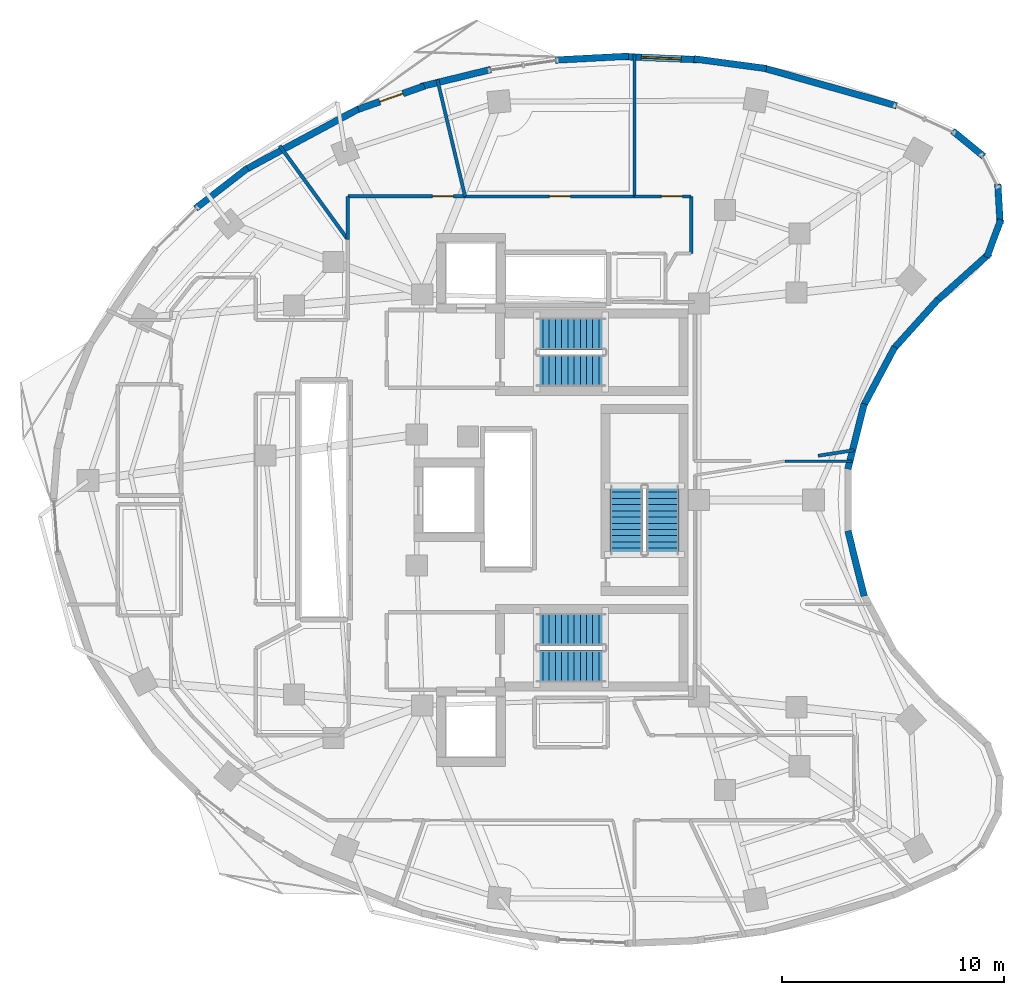
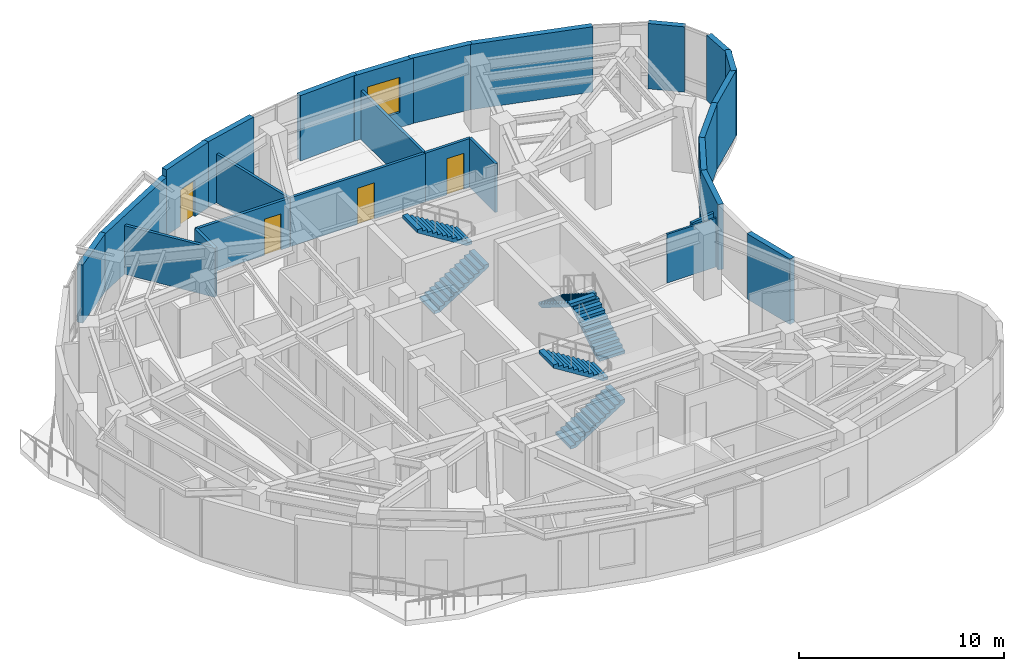
# One storey, part 10 of 13: 26 walls, 6 stair flights, 4 doors, 1 window, 5 openings, 3 elements without a shape of their own.
"""IFC4 building model written with IfcOpenShell, lengths in metres."""

import ifcopenshell
import ifcopenshell.guid

model = None  # the IFC model being written
_history = None  # IfcOwnerHistory: only IFC2X3 demands one
_inside = {}  # id of a spatial element -> (the spatial element, [elements in it])
_under = {}  # id of a project, library or spatial element -> (it, [spatial elements below it])
_declared = {}  # id of a project -> (the project, [libraries it declares])
_typed = {}  # id of a type object -> (the type object, [elements of that type])
_made_of = {}  # id of a material, layer set ... -> (it, [elements and type objects made of it])


def new_model(schema):
    """Start an empty IFC model of exactly this schema.

    Asked for "IFC4X3", IfcOpenShell would pick the latest addendum, in which some entities
    have other attributes; the version numbers below select the first issue.
    IFC2X3 requires an IfcOwnerHistory on every rooted entity: one is made here for all.
    """
    global model, _history
    if schema == "IFC4X3":
        model = ifcopenshell.file(schema_version=(4, 3, 0, 0))
    else:
        model = ifcopenshell.file(schema=schema)
    _inside.clear()
    _under.clear()
    _declared.clear()
    _typed.clear()
    _made_of.clear()
    _history = None
    if model.schema == "IFC2X3":
        org = make("IfcOrganization", Name="unknown")
        user = make(
            "IfcPersonAndOrganization",
            ThePerson=make("IfcPerson", FamilyName="unknown"),
            TheOrganization=org,
        )
        app = make(
            "IfcApplication",
            ApplicationDeveloper=org,
            Version="unknown",
            ApplicationFullName="unknown",
            ApplicationIdentifier="unknown",
        )
        _history = make(
            "IfcOwnerHistory",
            OwningUser=user,
            OwningApplication=app,
            ChangeAction="ADDED",
            CreationDate=0,
        )
    return model


def make(cls, **values):
    """One entity of the class cls with the attributes given. An attribute that is None is left unset."""
    return model.create_entity(
        cls, **{name: value for name, value in values.items() if value is not None}
    )


def rooted(cls, **values):
    """An entity with a GlobalId (a new one), such as an element, a storey or a relation."""
    return make(cls, GlobalId=ifcopenshell.guid.new(), OwnerHistory=_history, **values)


def si_unit(unit_type, name, prefix=None):
    """IfcSIUnit, for example si_unit("LENGTHUNIT", "METRE", prefix="MILLI")."""
    return make("IfcSIUnit", UnitType=unit_type, Prefix=prefix, Name=name)


def assignment(units):
    """IfcUnitAssignment: the units of a project."""
    return None if units is None else make("IfcUnitAssignment", Units=units)


def point(xyz):
    """IfcCartesianPoint."""
    return None if xyz is None else make("IfcCartesianPoint", Coordinates=xyz)


def direction(xyz):
    """IfcDirection."""
    return None if xyz is None else make("IfcDirection", DirectionRatios=xyz)


def frame(location, z_axis=None, x_axis=None):
    """IfcAxis2Placement3D, a coordinate frame: its origin and axes. An axis left out is left unset."""
    return make(
        "IfcAxis2Placement3D",
        Location=point(location),
        Axis=direction(z_axis),
        RefDirection=direction(x_axis),
    )


def frame_2d(location, x_axis=None):
    """IfcAxis2Placement2D, a coordinate frame in the plane: its origin and x axis."""
    return make(
        "IfcAxis2Placement2D", Location=point(location), RefDirection=direction(x_axis)
    )


def origin():
    """The frame at (0, 0, 0) with its axes left unset."""
    return frame((0.0, 0.0, 0.0))


def place(relative_to, where):
    """IfcLocalPlacement: puts the frame where relative to a parent placement (None: the world)."""
    return make(
        "IfcLocalPlacement", PlacementRelTo=relative_to, RelativePlacement=where
    )


def context(
    kind, dimensions, precision=None, world=None, true_north=None, identifier=None
):
    """IfcGeometricRepresentationContext, for example the 3D "Model" context."""
    return make(
        "IfcGeometricRepresentationContext",
        ContextIdentifier=identifier,
        ContextType=kind,
        CoordinateSpaceDimension=dimensions,
        Precision=precision,
        WorldCoordinateSystem=world,
        TrueNorth=true_north,
    )


def subcontext(parent, identifier, kind, view, scale=None):
    """IfcGeometricRepresentationSubContext, for example "Body" below "Model"."""
    return make(
        "IfcGeometricRepresentationSubContext",
        ContextIdentifier=identifier,
        ContextType=kind,
        ParentContext=parent,
        TargetScale=scale,
        TargetView=view,
    )


def project(units=None, contexts=None):
    """IfcProject with its units and contexts."""
    return rooted(
        "IfcProject",
        Name="project",
        RepresentationContexts=contexts,
        UnitsInContext=assignment(units),
    )


def spatial(cls, under=None, at=None, **own):
    """A site, building, storey or space (cls), placed at a placement, below another one or the project."""
    s = rooted(cls, ObjectPlacement=at, **own)
    if under is not None:
        _under.setdefault(under.id(), (under, []))[1].append(s)
    return s


def polyline(points):
    """IfcPolyline through the points."""
    return make("IfcPolyline", Points=[point(p) for p in points])


def profile(cls, at=None, kind="AREA", **sizes):
    """A parametric profile (cls). Its sizes go by their IFC names, for example OverallWidth=200.0."""
    return make(cls, ProfileType=kind, Position=at, **sizes)


def rectangle(**sizes):
    """IfcRectangleProfileDef."""
    return profile("IfcRectangleProfileDef", **sizes)


def outline(outer, holes=None, kind="AREA"):
    """IfcArbitraryClosedProfileDef: a profile drawn as a closed curve; with holes, ...WithVoids."""
    if holes is None:
        return make("IfcArbitraryClosedProfileDef", ProfileType=kind, OuterCurve=outer)
    return make(
        "IfcArbitraryProfileDefWithVoids",
        ProfileType=kind,
        OuterCurve=outer,
        InnerCurves=holes,
    )


def extrude(swept, where, along, depth):
    """IfcExtrudedAreaSolid: the profile swept, set in the frame where, extruded along a direction by depth."""
    return make(
        "IfcExtrudedAreaSolid",
        SweptArea=swept,
        Position=where,
        ExtrudedDirection=direction(along),
        Depth=depth,
    )


def shape(context_of_items, identifier, shape_type, items):
    """IfcShapeRepresentation: the items that make up one representation, for example the "Body"."""
    return make(
        "IfcShapeRepresentation",
        ContextOfItems=context_of_items,
        RepresentationIdentifier=identifier,
        RepresentationType=shape_type,
        Items=items,
    )


def material(Name=None, Category=None):
    """IfcMaterial."""
    return make("IfcMaterial", Name=Name, Category=Category)


def layer(
    of_material, thickness, ventilated=None, Name=None, Category=None, Priority=None
):
    """IfcMaterialLayer: one layer of a wall or slab, of a material (None: an air gap)."""
    return make(
        "IfcMaterialLayer",
        Material=of_material,
        LayerThickness=thickness,
        IsVentilated=ventilated,
        Name=Name,
        Category=Category,
        Priority=Priority,
    )


def layer_set(layers, Name=None):
    """IfcMaterialLayerSet."""
    return make("IfcMaterialLayerSet", MaterialLayers=layers, LayerSetName=Name)


def made_of(thing, what):
    """Note that an element or type object is made of a material, layer set ...; save() writes the relation."""
    if what is not None:
        _made_of.setdefault(what.id(), (what, []))[1].append(thing)
    return thing


def type_object(cls, material=None, **own):
    """A type object (cls), such as IfcWallType, which elements share."""
    return made_of(rooted(cls, **own), material)


def element(
    cls,
    number,
    at=None,
    inside=None,
    cuts=None,
    type_object=None,
    material=None,
    context=None,
    identifier="Body",
    shape_type=None,
    held_by="IfcProductDefinitionShape",
    body=None,
    shapes=None,
    **own,
):
    """One element of the class cls, such as IfcWall. Its Tag is "e" and its number.

    at: its placement. inside: the storey or other place that contains it. cuts: it is an
    opening in that element (IfcRelVoidsElement). A single representation is given by context,
    identifier, shape_type and body (its items); several are given by shapes. held_by: the class
    of the entity that holds the representations. save() writes the other relations.
    """
    e = rooted(cls, Tag="e%d" % number, ObjectPlacement=at, **own)
    if body is not None:
        shapes = [shape(context, identifier, shape_type, body)]
    if shapes is not None:
        e.Representation = make(held_by, Representations=shapes)
    if inside is not None:
        _inside.setdefault(inside.id(), (inside, []))[1].append(e)
    if cuts is not None:
        rooted(
            "IfcRelVoidsElement", RelatingBuildingElement=cuts, RelatedOpeningElement=e
        )
    if type_object is not None:
        _typed.setdefault(type_object.id(), (type_object, []))[1].append(e)
    return made_of(e, material)


def fill(opening, filler):
    """IfcRelFillsElement: the door or window that sits in an opening."""
    return rooted(
        "IfcRelFillsElement",
        RelatingOpeningElement=opening,
        RelatedBuildingElement=filler,
    )


def aggregate(whole, parts):
    """IfcRelAggregates: a whole, such as a stair, and the parts it consists of."""
    return rooted("IfcRelAggregates", RelatingObject=whole, RelatedObjects=parts)


def save(model, path):
    """Write the relations noted so far, then the file.

    IfcRelAggregates (storeys below a building ...), IfcRelContainedInSpatialStructure (elements
    in a storey), IfcRelDefinesByType, IfcRelAssociatesMaterial and IfcRelDeclares: one each for
    every whole, place, type object, material and project.
    """
    for whole, parts in _under.values():
        aggregate(whole, parts)
    for where, things in _inside.values():
        rooted(
            "IfcRelContainedInSpatialStructure",
            RelatedElements=things,
            RelatingStructure=where,
        )
    for kind, things in _typed.values():
        rooted("IfcRelDefinesByType", RelatedObjects=things, RelatingType=kind)
    for what, things in _made_of.values():
        rooted("IfcRelAssociatesMaterial", RelatedObjects=things, RelatingMaterial=what)
    for by, libraries in _declared.values():
        rooted("IfcRelDeclares", RelatingContext=by, RelatedDefinitions=libraries)
    model.write(path)


model = new_model("IFC4")

# Units and contexts
model_context = context("Model", 3, precision=1e-05, world=origin(), true_north=direction((0.0, 1.0)))
body_context = subcontext(model_context, "Body", "Model", "MODEL_VIEW")
ifc_project = project(units=[si_unit("LENGTHUNIT", "METRE"), si_unit("AREAUNIT", "SQUARE_METRE"), si_unit("VOLUMEUNIT", "CUBIC_METRE"), si_unit("PLANEANGLEUNIT", "RADIAN"), si_unit("MASSUNIT", "GRAM", prefix="KILO")], contexts=[model_context])

# Site, building, storey
site_placement = place(None, origin())
site = spatial("IfcSite", under=ifc_project, at=site_placement, CompositionType="ELEMENT")
building_placement = place(site_placement, origin())
building = spatial("IfcBuilding", under=site, at=building_placement, Name="Korentha Bioscience Tower", CompositionType="ELEMENT")
storey_placement = place(building_placement, frame((0.0, 0.0, 204.60009765625)))
storey = spatial("IfcBuildingStorey", under=building, at=storey_placement, Name="L47", CompositionType="ELEMENT", Elevation=204.60009765625)

# Wall, opening, door
ifc_material_1 = material(Name="Double-Stud Acoustic Gypsum", Category="gypsum")
ifc_layer_1 = layer(ifc_material_1, 0.14990234375, Name="Double-Stud Acoustic Gypsum")
ifc_layer_set_1 = layer_set([ifc_layer_1], Name="Double-Stud Acoustic Gypsum (IW-L150)")
wall_type_1 = type_object("IfcWallType", Name="Acoustic Laboratory Partition Wall 150", PredefinedType="PARTITIONING", material=ifc_layer_set_1)
wall_1_placement = place(storey_placement, frame((37.199951171875, 40.659912109375, 0.0), z_axis=(0.0, 0.0, 1.0), x_axis=(-1.0, 0.0, 0.0)))
wall_1 = element("IfcWall", 1, at=wall_1_placement, inside=storey, type_object=wall_type_1, Name="L47 Peer-Review Conference Room 08 Entrance Wall", PredefinedType="PARTITIONING", context=body_context, shape_type="SweptSolid", body=[
    extrude(rectangle(XDim=2.5478515625, YDim=0.14990234375, at=frame_2d((1.27392578125, 0.0))), origin(), (0.0, 0.0, 1.0), 2.909912109375),
])
opening_1_placement = place(wall_1_placement, frame((0.39208984375, 0.0, 0.0)))
opening_1 = element("IfcOpeningElement", 2, at=opening_1_placement, cuts=wall_1, Name="Opening ID-10L", PredefinedType="OPENING", context=body_context, shape_type="SweptSolid", body=[
    extrude(rectangle(XDim=0.949951171875, YDim=2.14990234375, at=frame_2d((0.47509765625, 1.074951171875))), frame((0.0, 0.08984375, 0.0), z_axis=(0.0, -1.0, 0.0), x_axis=(1.0, 0.0, 0.0)), (0.0, 0.0, 1.0), 0.1796875),
])
ifc_material_2 = material(Name="Phenolic Laminate Timber Core", Category="wood")
door_type_1 = type_object("IfcDoorType", Name="Laboratory Single Leaf Door 950x2150 Left", OperationType="SINGLE_SWING_LEFT", PredefinedType="DOOR", material=ifc_material_2)
door_1_placement = place(opening_1_placement, origin())
door_1 = element("IfcDoor", 3, at=door_1_placement, inside=storey, type_object=door_type_1, Name="L47 Peer-Review Conference Room 08 Door", OperationType="SINGLE_SWING_LEFT", OverallHeight=2.14990234375, OverallWidth=0.949951171875, PredefinedType="DOOR", context=body_context, shape_type="SweptSolid", body=[
    extrude(rectangle(XDim=0.949951171875, YDim=2.14990234375, at=frame_2d((0.47509765625, 1.074951171875))), frame((0.0, 0.02490234375, 0.0), z_axis=(0.0, -1.0, 0.0), x_axis=(1.0, 0.0, 0.0)), (0.0, 0.0, 1.0), 0.050048828125),
])
fill(opening_1, door_1)

wall_2_placement = place(storey_placement, frame((34.64208984375, 40.659912109375, 0.0), z_axis=(0.0, 0.0, 1.0), x_axis=(-1.0, 0.0, 0.0)))
wall_2 = element("IfcWall", 4, at=wall_2_placement, inside=storey, type_object=wall_type_1, Name="L47 Staff Tea and Espresso Break Lounge 09 Entrance Wall", PredefinedType="PARTITIONING", context=body_context, shape_type="SweptSolid", body=[
    extrude(rectangle(XDim=7.616943359375, YDim=0.14990234375, at=frame_2d((3.80859375, 0.0))), origin(), (0.0, 0.0, 1.0), 2.909912109375),
])
opening_2_placement = place(wall_2_placement, frame((2.871826171875, 0.0, 0.0)))
opening_2 = element("IfcOpeningElement", 5, at=opening_2_placement, cuts=wall_2, Name="Opening ID-10R", PredefinedType="OPENING", context=body_context, shape_type="SweptSolid", body=[
    extrude(rectangle(XDim=0.949951171875, YDim=2.14990234375, at=frame_2d((0.47509765625, 1.074951171875))), frame((0.0, 0.08984375, 0.0), z_axis=(0.0, -1.0, 0.0), x_axis=(1.0, 0.0, 0.0)), (0.0, 0.0, 1.0), 0.1796875),
])
door_type_2 = type_object("IfcDoorType", Name="Laboratory Single Leaf Door 950x2150 Right", OperationType="SINGLE_SWING_RIGHT", PredefinedType="DOOR", material=ifc_material_2)
door_2_placement = place(opening_2_placement, origin())
door_2 = element("IfcDoor", 6, at=door_2_placement, inside=storey, type_object=door_type_2, Name="L47 Staff Tea and Espresso Break Lounge 09 Door", OperationType="SINGLE_SWING_RIGHT", OverallHeight=2.14990234375, OverallWidth=0.949951171875, PredefinedType="DOOR", context=body_context, shape_type="SweptSolid", body=[
    extrude(rectangle(XDim=0.949951171875, YDim=2.14990234375, at=frame_2d((0.47509765625, 1.074951171875))), frame((0.0, 0.02490234375, 0.0), z_axis=(0.0, -1.0, 0.0), x_axis=(1.0, 0.0, 0.0)), (0.0, 0.0, 1.0), 0.050048828125),
])
fill(opening_2, door_2)

# Walls
wall_3_placement = place(storey_placement, frame((37.2099609375, 38.10009765625, 0.0), z_axis=(0.0, 0.0, 1.0), x_axis=(0.0, 1.0, 0.0)))
element("IfcWall", 7, at=wall_3_placement, inside=storey, type_object=wall_type_1, Name="L47 Interior Partition 063", PredefinedType="PARTITIONING", context=body_context, shape_type="SweptSolid", body=[
    extrude(rectangle(XDim=2.5498046875, YDim=0.14990234375, at=frame_2d((1.27490234375, 0.0))), origin(), (0.0, 0.0, 1.0), 2.909912109375),
])
wall_4_placement = place(storey_placement, frame((34.652099609375, 40.659912109375, 0.0), z_axis=(0.0, 0.0, 1.0), x_axis=(0.0, 1.0, 0.0)))
element("IfcWall", 8, at=wall_4_placement, inside=storey, type_object=wall_type_1, Name="L47 Interior Partition 064", PredefinedType="PARTITIONING", context=body_context, shape_type="SweptSolid", body=[
    extrude(rectangle(XDim=6.412109375, YDim=0.14990234375, at=frame_2d((3.2060546875, 0.0))), origin(), (0.0, 0.0, 1.0), 2.909912109375),
])
wall_5_placement = place(storey_placement, frame((44.527099609375, 29.240478515625, 0.0), z_axis=(0.0, 0.0, 1.0), x_axis=(-0.987927620499, -0.154916160084, 0.0)))
element("IfcWall", 9, at=wall_5_placement, inside=storey, type_object=wall_type_1, Name="L47 Interior Partition 065", PredefinedType="PARTITIONING", context=body_context, shape_type="SweptSolid", body=[
    extrude(rectangle(XDim=1.629638671875, YDim=0.14990234375, at=frame_2d((0.81494140625, 0.0))), origin(), (0.0, 0.0, 1.0), 2.909912109375),
])
wall_6_placement = place(storey_placement, frame((27.025146484375, 40.659912109375, 0.0), z_axis=(0.0, 0.0, 1.0), x_axis=(-0.230673918081, 0.973031111279, 0.0)))
element("IfcWall", 10, at=wall_6_placement, inside=storey, type_object=wall_type_1, Name="L47 Interior Partition 070", PredefinedType="PARTITIONING", context=body_context, shape_type="SweptSolid", body=[
    extrude(rectangle(XDim=5.3935546875, YDim=0.14990234375, at=frame_2d((2.69677734375, 0.0))), origin(), (0.0, 0.0, 1.0), 2.909912109375),
])
ifc_material_3 = material(Name="Fire-Rated Framed Glass", Category="glass")
ifc_layer_2 = layer(ifc_material_3, 0.110107421875, Name="Fire-Rated Framed Glass")
ifc_layer_set_2 = layer_set([ifc_layer_2], Name="Fire-Rated Framed Glass (IW-G110)")
wall_type_2 = type_object("IfcWallType", Name="Demountable Glazed Office Partition 110", PredefinedType="MOVABLE", material=ifc_layer_set_2)
wall_7_placement = place(storey_placement, frame((41.413818359375, 28.748046875, 0.0), z_axis=(0.0, 0.0, 1.0), x_axis=(1.0, 0.0, 0.0)))
element("IfcWall", 11, at=wall_7_placement, inside=storey, type_object=wall_type_2, Name="L47 Interior Partition 055", PredefinedType="MOVABLE", context=body_context, shape_type="SweptSolid", body=[
    extrude(rectangle(XDim=3.032958984375, YDim=0.110107421875, at=frame_2d((1.5166015625, 0.0))), origin(), (0.0, 0.0, 1.0), 2.909912109375),
])

# Wall, opening, door
ifc_material_4 = material(Name="Gypsum-Clad Steel Stud", Category="steel")
ifc_layer_3 = layer(ifc_material_4, 0.159912109375, Name="Gypsum-Clad Steel Stud")
ifc_layer_set_3 = layer_set([ifc_layer_3], Name="Gypsum-Clad Steel Stud (IW-C160)")
wall_type_3 = type_object("IfcWallType", Name="Fire-Rated Corridor Partition Wall 160", PredefinedType="PARTITIONING", material=ifc_layer_set_3)
wall_8_placement = place(storey_placement, frame((27.014892578125, 40.659912109375, 0.0), z_axis=(0.0, 0.0, 1.0), x_axis=(-1.0, 0.0, 0.0)))
wall_8 = element("IfcWall", 12, at=wall_8_placement, inside=storey, type_object=wall_type_3, Name="L47 Consumables Archive Room 10 Entrance Wall", PredefinedType="PARTITIONING", context=body_context, shape_type="SweptSolid", body=[
    extrude(rectangle(XDim=5.264892578125, YDim=0.159912109375, at=frame_2d((2.63232421875, 0.0))), origin(), (0.0, 0.0, 1.0), 2.909912109375),
])
opening_3_placement = place(wall_8_placement, frame((0.510009765625, 0.0, 0.0)))
opening_3 = element("IfcOpeningElement", 13, at=opening_3_placement, cuts=wall_8, Name="Opening ID-10L", PredefinedType="OPENING", context=body_context, shape_type="SweptSolid", body=[
    extrude(rectangle(XDim=0.949951171875, YDim=2.14990234375, at=frame_2d((0.47509765625, 1.074951171875))), frame((0.0, 0.0947265625, 0.0), z_axis=(0.0, -1.0, 0.0), x_axis=(1.0, 0.0, 0.0)), (0.0, 0.0, 1.0), 0.189697265625),
])
door_3_placement = place(opening_3_placement, origin())
door_3 = element("IfcDoor", 14, at=door_3_placement, inside=storey, type_object=door_type_1, Name="L47 Consumables Archive Room 10 Door", OperationType="SINGLE_SWING_LEFT", OverallHeight=2.14990234375, OverallWidth=0.949951171875, PredefinedType="DOOR", context=body_context, shape_type="SweptSolid", body=[
    extrude(rectangle(XDim=0.949951171875, YDim=2.14990234375, at=frame_2d((0.47509765625, 1.074951171875))), frame((0.0, 0.02490234375, 0.0), z_axis=(0.0, -1.0, 0.0), x_axis=(1.0, 0.0, 0.0)), (0.0, 0.0, 1.0), 0.050048828125),
])
fill(opening_3, door_3)

# Walls
wall_9_placement = place(storey_placement, frame((21.739990234375, 40.64990234375, 0.0), z_axis=(0.0, 0.0, 1.0), x_axis=(0.0, -1.0, 0.0)))
element("IfcWall", 15, at=wall_9_placement, inside=storey, type_object=wall_type_3, Name="L47 Interior Partition 071", PredefinedType="PARTITIONING", context=body_context, shape_type="SweptSolid", body=[
    extrude(rectangle(XDim=1.91796875, YDim=0.159912109375, at=frame_2d((0.958984375, 0.0))), origin(), (0.0, 0.0, 1.0), 2.909912109375),
])
wall_10_placement = place(storey_placement, frame((21.739990234375, 38.73193359375, 0.0), z_axis=(0.0, 0.0, 1.0), x_axis=(-0.587778316098, 0.80902203377, 0.0)))
element("IfcWall", 16, at=wall_10_placement, inside=storey, type_object=wall_type_3, Name="L47 Interior Partition 072", PredefinedType="PARTITIONING", context=body_context, shape_type="SweptSolid", body=[
    extrude(rectangle(XDim=5.2041015625, YDim=0.159912109375, at=frame_2d((2.60205078125, 0.0))), origin(), (0.0, 0.0, 1.0), 2.909912109375),
])

# Wall, opening, window
ifc_material_5 = material(Name="Honed Limestone Precast Concrete C40", Category="masonry")
ifc_layer_4 = layer(ifc_material_5, 0.300048828125, Name="Honed Limestone Precast Concrete C40")
ifc_layer_set_4 = layer_set([ifc_layer_4], Name="Honed Limestone Precast Concrete C40 (EW-ST300)")
wall_type_4 = type_object("IfcWallType", Name="Honed Limestone Cavity Spandrel Wall 300", PredefinedType="STANDARD", material=ifc_layer_set_4)
wall_11_placement = place(storey_placement, frame((37.48583984375, 46.81787109375, 0.0), z_axis=(0.0, 0.0, 1.0), x_axis=(-0.999187621273, 0.040300092979, 0.0)))
wall_11 = element("IfcWall", 17, at=wall_11_placement, inside=storey, type_object=wall_type_4, Name="L47 Honed Limestone Spandrel Wall 05", PredefinedType="STANDARD", context=body_context, shape_type="SweptSolid", body=[
    extrude(rectangle(XDim=3.25927734375, YDim=0.300048828125, at=frame_2d((1.629638671875, 0.0))), origin(), (0.0, 0.0, 1.0), 3.89990234375),
])
opening_4_placement = place(wall_11_placement, frame((0.7294921875, 0.0, 0.89990234375)))
opening_4 = element("IfcOpeningElement", 18, at=opening_4_placement, cuts=wall_11, Name="Opening WN-01", PredefinedType="OPENING", context=body_context, shape_type="SweptSolid", body=[
    extrude(rectangle(XDim=1.800048828125, YDim=2.10009765625, at=frame_2d((0.89990234375, 1.050048828125))), frame((0.0, 0.1650390625, 0.0), z_axis=(0.0, -1.0, 0.0), x_axis=(1.0, 0.0, 0.0)), (0.0, 0.0, 1.0), 0.329833984375),
])
ifc_material_6 = material(Name="Thermally Broken Aluminium Triple Glazing", Category="aluminium")
window_type = type_object("IfcWindowType", Name="Triple-Glazed Fixed Bioscience Window 1800x2100", PartitioningType="SINGLE_PANEL", PredefinedType="WINDOW", material=ifc_material_6)
window_placement = place(opening_4_placement, origin())
window = element("IfcWindow", 19, at=window_placement, inside=storey, type_object=window_type, Name="L47 Facade Window 05", OverallHeight=2.10009765625, OverallWidth=1.800048828125, PartitioningType="SINGLE_PANEL", PredefinedType="WINDOW", context=body_context, shape_type="SweptSolid", body=[
    extrude(rectangle(XDim=1.800048828125, YDim=2.10009765625, at=frame_2d((0.89990234375, 1.050048828125))), frame((0.0, 0.030029296875, 0.0), z_axis=(0.0, -1.0, 0.0), x_axis=(1.0, 0.0, 0.0)), (0.0, 0.0, 1.0), 0.06005859375),
])
fill(opening_4, window)

# Wall, opening, door
wall_12_placement = place(storey_placement, frame((25.193115234375, 45.626708984375, 0.0), z_axis=(0.0, 0.0, 1.0), x_axis=(-0.94341621231, -0.331610992506, 0.0)))
wall_12 = element("IfcWall", 20, at=wall_12_placement, inside=storey, type_object=wall_type_4, Name="L47 Balcony Threshold Wall 01", PredefinedType="STANDARD", context=body_context, shape_type="SweptSolid", body=[
    extrude(rectangle(XDim=3.148193359375, YDim=0.300048828125, at=frame_2d((1.57421875, 0.0))), origin(), (0.0, 0.0, 1.0), 3.89990234375),
])
opening_5_placement = place(wall_12_placement, frame((1.024169921875, 0.0, 0.0)))
opening_5 = element("IfcOpeningElement", 21, at=opening_5_placement, cuts=wall_12, Name="Opening BD-11L", PredefinedType="OPENING", context=body_context, shape_type="SweptSolid", body=[
    extrude(rectangle(XDim=1.10009765625, YDim=2.14990234375, at=frame_2d((0.550048828125, 1.074951171875))), frame((0.0, 0.1650390625, 0.0), z_axis=(0.0, -1.0, 0.0), x_axis=(1.0, 0.0, 0.0)), (0.0, 0.0, 1.0), 0.329833984375),
])
ifc_material_7 = material(Name="Thermally Broken Glazed Aluminium", Category="aluminium")
door_type_3 = type_object("IfcDoorType", Name="Balcony Terrace Glazed Door 1100x2150 Left", OperationType="SINGLE_SWING_LEFT", PredefinedType="DOOR", material=ifc_material_7)
door_4_placement = place(opening_5_placement, origin())
door_4 = element("IfcDoor", 22, at=door_4_placement, inside=storey, type_object=door_type_3, Name="L47 Balcony Access Door 01", OperationType="SINGLE_SWING_LEFT", OverallHeight=2.14990234375, OverallWidth=1.10009765625, PredefinedType="DOOR", context=body_context, shape_type="SweptSolid", body=[
    extrude(rectangle(XDim=1.10009765625, YDim=2.14990234375, at=frame_2d((0.550048828125, 1.074951171875))), frame((0.0, 0.02490234375, 0.0), z_axis=(0.0, -1.0, 0.0), x_axis=(1.0, 0.0, 0.0)), (0.0, 0.0, 1.0), 0.050048828125),
])
fill(opening_5, door_4)

# Walls
wall_13_placement = place(storey_placement, frame((46.449462890625, 44.741455078125, 0.0), z_axis=(0.0, 0.0, 1.0), x_axis=(-0.962117712706, 0.272634383189, 0.0)))
element("IfcWall", 23, at=wall_13_placement, inside=storey, type_object=wall_type_4, Name="L47 Limestone Perimeter Closure Wall 02", PredefinedType="STANDARD", context=body_context, shape_type="SweptSolid", body=[
    extrude(rectangle(XDim=6.275634765625, YDim=0.300048828125, at=frame_2d((3.1376953125, 0.0))), origin(), (0.0, 0.0, 1.0), 3.89990234375),
])
wall_14_placement = place(storey_placement, frame((40.58740234375, 46.415771484375, 0.0), z_axis=(0.0, 0.0, 1.0), x_axis=(-0.991125608299, 0.132928659714, 0.0)))
element("IfcWall", 24, at=wall_14_placement, inside=storey, type_object=wall_type_4, Name="L47 Limestone Perimeter Closure Wall 04", PredefinedType="STANDARD", context=body_context, shape_type="SweptSolid", body=[
    extrude(rectangle(XDim=3.281982421875, YDim=0.300048828125, at=frame_2d((1.64111328125, 0.0))), origin(), (0.0, 0.0, 1.0), 3.89990234375),
])
wall_15_placement = place(storey_placement, frame((34.3828125, 46.970947265625, 0.0), z_axis=(0.0, 0.0, 1.0), x_axis=(-0.998633327395, -0.052263538113, 0.0)))
element("IfcWall", 25, at=wall_15_placement, inside=storey, type_object=wall_type_4, Name="L47 Limestone Perimeter Closure Wall 06", PredefinedType="STANDARD", context=body_context, shape_type="SweptSolid", body=[
    extrude(rectangle(XDim=3.2978515625, YDim=0.300048828125, at=frame_2d((1.64892578125, 0.0))), origin(), (0.0, 0.0, 1.0), 3.89990234375),
])
wall_16_placement = place(storey_placement, frame((28.187255859375, 46.3740234375, 0.0), z_axis=(0.0, 0.0, 1.0), x_axis=(-0.971279195983, -0.237942689423, 0.0)))
element("IfcWall", 26, at=wall_16_placement, inside=storey, type_object=wall_type_4, Name="L47 Limestone Perimeter Closure Wall 08", PredefinedType="STANDARD", context=body_context, shape_type="SweptSolid", body=[
    extrude(rectangle(XDim=3.2412109375, YDim=0.300048828125, at=frame_2d((1.62060546875, 0.0))), origin(), (0.0, 0.0, 1.0), 3.89990234375),
])
wall_17_placement = place(storey_placement, frame((22.36328125, 44.66796875, 0.0), z_axis=(0.0, 0.0, 1.0), x_axis=(-0.88123472541, -0.472678917164, 0.0)))
element("IfcWall", 27, at=wall_17_placement, inside=storey, type_object=wall_type_4, Name="L47 Limestone Perimeter Closure Wall 10", PredefinedType="STANDARD", context=body_context, shape_type="SweptSolid", body=[
    extrude(rectangle(XDim=5.99658203125, YDim=0.300048828125, at=frame_2d((2.998291015625, 0.0))), origin(), (0.0, 0.0, 1.0), 3.469970703125),
])
wall_18_placement = place(storey_placement, frame((17.232177734375, 41.93310546875, 0.0), z_axis=(0.0, 0.0, 1.0), x_axis=(-0.790315182738, -0.612700507536, 0.0)))
element("IfcWall", 28, at=wall_18_placement, inside=storey, type_object=wall_type_4, Name="L47 Limestone Perimeter Closure Wall 12", PredefinedType="STANDARD", context=body_context, shape_type="SweptSolid", body=[
    extrude(rectangle(XDim=2.95947265625, YDim=0.300048828125, at=frame_2d((1.479736328125, 0.0))), origin(), (0.0, 0.0, 1.0), 3.469970703125),
])
for number, where, z_axis, x_axis, name in (
    (29, (44.990966796875, 22.671630859375, 0.0), (0.0, 0.0, 1.0), (-0.241947511962, 0.97028933904, 0.0), "L47 Limestone Perimeter Closure Wall 47"),
    (30, (44.25830078125, 28.39013671875, 0.0), (0.0, 0.0, 1.0), (0.241947511962, 0.97028933904, 0.0), "L47 Limestone Perimeter Closure Wall 51"),
):
    element("IfcWall", number, at=place(storey_placement, frame(where, z_axis=z_axis, x_axis=x_axis)), inside=storey, type_object=wall_type_4, Name=name, PredefinedType="STANDARD", context=body_context, shape_type="SweptSolid", body=[
        extrude(rectangle(XDim=3.0283203125, YDim=0.300048828125, at=frame_2d((1.51416015625, 0.0))), origin(), (0.0, 0.0, 1.0), 3.89990234375),
    ])
for number, where, z_axis, x_axis, name in (
    (31, (44.9462890625, 31.2119140625, 0.0), (0.0, 0.0, 1.0), (0.469487277589, 0.88293923697, 0.0), "L47 Limestone Perimeter Closure Wall 53"),
    (32, (46.29638671875, 33.783447265625, 0.0), (0.0, 0.0, 1.0), (0.669129534294, 0.743145790768, 0.0), "L47 Limestone Perimeter Closure Wall 55"),
):
    element("IfcWall", number, at=place(storey_placement, frame(where, z_axis=z_axis, x_axis=x_axis)), inside=storey, type_object=wall_type_4, Name=name, PredefinedType="STANDARD", context=body_context, shape_type="SweptSolid", body=[
        extrude(rectangle(XDim=3.028076171875, YDim=0.300048828125, at=frame_2d((1.51416015625, 0.0))), origin(), (0.0, 0.0, 1.0), 3.89990234375),
    ])
wall_19_placement = place(storey_placement, frame((48.219970703125, 35.93115234375, 0.0), z_axis=(0.0, 0.0, 1.0), x_axis=(0.743417638904, 0.668827492083, 0.0)))
element("IfcWall", 33, at=wall_19_placement, inside=storey, type_object=wall_type_4, Name="L47 Limestone Perimeter Closure Wall 57", PredefinedType="STANDARD", context=body_context, shape_type="SweptSolid", body=[
    extrude(rectangle(XDim=3.24365234375, YDim=0.300048828125, at=frame_2d((1.621826171875, 0.0))), origin(), (0.0, 0.0, 1.0), 3.89990234375),
])
wall_20_placement = place(storey_placement, frame((50.506591796875, 37.9169921875, 0.0), z_axis=(0.0, 0.0, 1.0), x_axis=(0.348882068324, 0.937166635344, 0.0)))
element("IfcWall", 34, at=wall_20_placement, inside=storey, type_object=wall_type_4, Name="L47 Limestone Perimeter Closure Wall 59", PredefinedType="STANDARD", context=body_context, shape_type="SweptSolid", body=[
    extrude(rectangle(XDim=1.815185546875, YDim=0.300048828125, at=frame_2d((0.90771484375, 0.0))), origin(), (0.0, 0.0, 1.0), 3.89990234375),
])
wall_21_placement = place(storey_placement, frame((51.108154296875, 39.406494140625, 0.0), z_axis=(0.0, 0.0, 1.0), x_axis=(-0.057436686529, 0.998349150869, 0.0)))
element("IfcWall", 35, at=wall_21_placement, inside=storey, type_object=wall_type_4, Name="L47 Limestone Perimeter Closure Wall 60", PredefinedType="STANDARD", context=body_context, shape_type="SweptSolid", body=[
    extrude(rectangle(XDim=1.81494140625, YDim=0.300048828125, at=frame_2d((0.907470703125, 0.0))), origin(), (0.0, 0.0, 1.0), 3.89990234375),
])
wall_22_placement = place(storey_placement, frame((50.3701171875, 42.462646484375, 0.0), z_axis=(0.0, 0.0, 1.0), x_axis=(-0.774119060294, 0.633040030716, 0.0)))
element("IfcWall", 36, at=wall_22_placement, inside=storey, type_object=wall_type_4, Name="L47 Limestone Perimeter Closure Wall 62", PredefinedType="STANDARD", context=body_context, shape_type="SweptSolid", body=[
    extrude(rectangle(XDim=1.8154296875, YDim=0.300048828125, at=frame_2d((0.90771484375, 0.0))), origin(), (0.0, 0.0, 1.0), 3.89990234375),
])

# Stair, stair flights
ifc_material_8 = material(Name="Precast Concrete C50", Category="concrete")
stair_type = type_object("IfcStairType", Name="Core Exit Dog-Leg Stair 1450", PredefinedType="HALF_TURN_STAIR", material=ifc_material_8)
stair_1_placement = place(storey_placement, origin())
stair_1 = element("IfcStair", 37, at=stair_1_placement, inside=storey, type_object=stair_type, Name="L47 Tower North Pressurized Exit Stair ST-1", PredefinedType="HALF_TURN_STAIR")
stair_flight_type = type_object("IfcStairFlightType", Name="Core Exit Dog-Leg Stair 1450 Flight", PredefinedType="STRAIGHT", material=ifc_material_8)
stair_flight_1_placement = place(storey_placement, frame((30.25, 32.824951171875, 0.0), z_axis=(0.0, 0.0, 1.0), x_axis=(1.0, 0.0, 0.0)))
stair_flight_1 = element("IfcStairFlight", 38, at=stair_flight_1_placement, type_object=stair_flight_type, Name="ST-1 flight 1", NumberOfRisers=12, NumberOfTreads=11, PredefinedType="STRAIGHT", RiserHeight=0.175, TreadLength=0.28, context=body_context, shape_type="SweptSolid", body=[
    extrude(outline(polyline([(0.0, 0.0), (0.0, 0.175048828125), (0.280029296875, 0.175048828125), (0.280029296875, 0.35009765625), (0.56005859375, 0.35009765625), (0.56005859375, 0.52490234375), (0.840087890625, 0.52490234375), (0.840087890625, 0.699951171875), (1.1201171875, 0.699951171875), (1.1201171875, 0.875), (1.39990234375, 0.875), (1.39990234375, 1.050048828125), (1.679931640625, 1.050048828125), (1.679931640625, 1.22509765625), (1.9599609375, 1.22509765625), (1.9599609375, 1.39990234375), (2.239990234375, 1.39990234375), (2.239990234375, 1.574951171875), (2.52001953125, 1.574951171875), (2.52001953125, 1.75), (2.800048828125, 1.75), (2.800048828125, 1.925048828125), (3.080078125, 1.925048828125), (3.080078125, 2.10009765625), (3.080078125, 1.736328125), (0.3017578125, 0.0), (0.0, 0.0)])), frame((0.0, 0.72509765625, 0.0), z_axis=(0.0, -1.0, 0.0), x_axis=(1.0, 0.0, 0.0)), (0.0, 0.0, 1.0), 1.449951171875),
])
stair_flight_2_placement = place(storey_placement, frame((33.330078125, 34.47509765625, 2.099853515625), z_axis=(0.0, 0.0, 1.0), x_axis=(-1.0, 0.0, 0.0)))
stair_flight_2 = element("IfcStairFlight", 39, at=stair_flight_2_placement, type_object=stair_flight_type, Name="ST-1 flight 2", NumberOfRisers=12, NumberOfTreads=11, PredefinedType="STRAIGHT", RiserHeight=0.175, TreadLength=0.28, context=body_context, shape_type="SweptSolid", body=[
    extrude(outline(polyline([(0.0, 0.0), (0.0, 0.175048828125), (0.280029296875, 0.175048828125), (0.280029296875, 0.35009765625), (0.56005859375, 0.35009765625), (0.56005859375, 0.52490234375), (0.840087890625, 0.52490234375), (0.840087890625, 0.699951171875), (1.1201171875, 0.699951171875), (1.1201171875, 0.875), (1.39990234375, 0.875), (1.39990234375, 1.050048828125), (1.679931640625, 1.050048828125), (1.679931640625, 1.22509765625), (1.9599609375, 1.22509765625), (1.9599609375, 1.39990234375), (2.239990234375, 1.39990234375), (2.239990234375, 1.574951171875), (2.52001953125, 1.574951171875), (2.52001953125, 1.75), (2.800048828125, 1.75), (2.800048828125, 1.925048828125), (3.080078125, 1.925048828125), (3.080078125, 2.10009765625), (3.080078125, 1.736328125), (0.3017578125, 0.0), (0.0, 0.0)])), frame((0.0, 0.72509765625, 0.0), z_axis=(0.0, -1.0, 0.0), x_axis=(1.0, 0.0, 0.0)), (0.0, 0.0, 1.0), 1.449951171875),
])
aggregate(stair_1, [stair_flight_1, stair_flight_2])

stair_2_placement = place(storey_placement, origin())
stair_2 = element("IfcStair", 40, at=stair_2_placement, inside=storey, type_object=stair_type, Name="L47 Tower South Pressurized Exit Stair ST-2", PredefinedType="HALF_TURN_STAIR")
stair_flight_3_placement = place(storey_placement, frame((30.25, 19.52490234375, 0.0), z_axis=(0.0, 0.0, 1.0), x_axis=(1.0, 0.0, 0.0)))
stair_flight_3 = element("IfcStairFlight", 41, at=stair_flight_3_placement, type_object=stair_flight_type, Name="ST-2 flight 1", NumberOfRisers=12, NumberOfTreads=11, PredefinedType="STRAIGHT", RiserHeight=0.175, TreadLength=0.28, context=body_context, shape_type="SweptSolid", body=[
    extrude(outline(polyline([(0.0, 0.0), (0.0, 0.175048828125), (0.280029296875, 0.175048828125), (0.280029296875, 0.35009765625), (0.56005859375, 0.35009765625), (0.56005859375, 0.52490234375), (0.840087890625, 0.52490234375), (0.840087890625, 0.699951171875), (1.1201171875, 0.699951171875), (1.1201171875, 0.875), (1.39990234375, 0.875), (1.39990234375, 1.050048828125), (1.679931640625, 1.050048828125), (1.679931640625, 1.22509765625), (1.9599609375, 1.22509765625), (1.9599609375, 1.39990234375), (2.239990234375, 1.39990234375), (2.239990234375, 1.574951171875), (2.52001953125, 1.574951171875), (2.52001953125, 1.75), (2.800048828125, 1.75), (2.800048828125, 1.925048828125), (3.080078125, 1.925048828125), (3.080078125, 2.10009765625), (3.080078125, 1.736328125), (0.3017578125, 0.0), (0.0, 0.0)])), frame((0.0, 0.72509765625, 0.0), z_axis=(0.0, -1.0, 0.0), x_axis=(1.0, 0.0, 0.0)), (0.0, 0.0, 1.0), 1.449951171875),
])
stair_flight_4_placement = place(storey_placement, frame((33.330078125, 21.175048828125, 2.099853515625), z_axis=(0.0, 0.0, 1.0), x_axis=(-1.0, 0.0, 0.0)))
stair_flight_4 = element("IfcStairFlight", 42, at=stair_flight_4_placement, type_object=stair_flight_type, Name="ST-2 flight 2", NumberOfRisers=12, NumberOfTreads=11, PredefinedType="STRAIGHT", RiserHeight=0.175, TreadLength=0.28, context=body_context, shape_type="SweptSolid", body=[
    extrude(outline(polyline([(0.0, 0.0), (0.0, 0.175048828125), (0.280029296875, 0.175048828125), (0.280029296875, 0.35009765625), (0.56005859375, 0.35009765625), (0.56005859375, 0.52490234375), (0.840087890625, 0.52490234375), (0.840087890625, 0.699951171875), (1.1201171875, 0.699951171875), (1.1201171875, 0.875), (1.39990234375, 0.875), (1.39990234375, 1.050048828125), (1.679931640625, 1.050048828125), (1.679931640625, 1.22509765625), (1.9599609375, 1.22509765625), (1.9599609375, 1.39990234375), (2.239990234375, 1.39990234375), (2.239990234375, 1.574951171875), (2.52001953125, 1.574951171875), (2.52001953125, 1.75), (2.800048828125, 1.75), (2.800048828125, 1.925048828125), (3.080078125, 1.925048828125), (3.080078125, 2.10009765625), (3.080078125, 1.736328125), (0.3017578125, 0.0), (0.0, 0.0)])), frame((0.0, 0.72509765625, 0.0), z_axis=(0.0, -1.0, 0.0), x_axis=(1.0, 0.0, 0.0)), (0.0, 0.0, 1.0), 1.449951171875),
])
aggregate(stair_2, [stair_flight_3, stair_flight_4])

stair_3_placement = place(storey_placement, origin())
stair_3 = element("IfcStair", 43, at=stair_3_placement, inside=storey, type_object=stair_type, Name="L47 Tower Central Pressurized Exit Stair ST-3", PredefinedType="HALF_TURN_STAIR")
stair_flight_5_placement = place(storey_placement, frame((35.925048828125, 24.550048828125, 0.0), z_axis=(0.0, 0.0, 1.0), x_axis=(0.0, 1.0, 0.0)))
stair_flight_5 = element("IfcStairFlight", 44, at=stair_flight_5_placement, type_object=stair_flight_type, Name="ST-3 flight 1", NumberOfRisers=12, NumberOfTreads=11, PredefinedType="STRAIGHT", RiserHeight=0.175, TreadLength=0.28, context=body_context, shape_type="SweptSolid", body=[
    extrude(outline(polyline([(0.0, 0.0), (0.0, 0.175048828125), (0.280029296875, 0.175048828125), (0.280029296875, 0.35009765625), (0.56005859375, 0.35009765625), (0.56005859375, 0.52490234375), (0.840087890625, 0.52490234375), (0.840087890625, 0.699951171875), (1.1201171875, 0.699951171875), (1.1201171875, 0.875), (1.39990234375, 0.875), (1.39990234375, 1.050048828125), (1.679931640625, 1.050048828125), (1.679931640625, 1.22509765625), (1.9599609375, 1.22509765625), (1.9599609375, 1.39990234375), (2.239990234375, 1.39990234375), (2.239990234375, 1.574951171875), (2.52001953125, 1.574951171875), (2.52001953125, 1.75), (2.800048828125, 1.75), (2.800048828125, 1.925048828125), (3.080078125, 1.925048828125), (3.080078125, 2.10009765625), (3.080078125, 1.736328125), (0.3017578125, 0.0), (0.0, 0.0)])), frame((0.0, 0.72509765625, 0.0), z_axis=(0.0, -1.0, 0.0), x_axis=(1.0, 0.0, 0.0)), (0.0, 0.0, 1.0), 1.449951171875),
])
stair_flight_6_placement = place(storey_placement, frame((34.27490234375, 27.6298828125, 2.099853515625), z_axis=(0.0, 0.0, 1.0), x_axis=(0.0, -1.0, 0.0)))
stair_flight_6 = element("IfcStairFlight", 45, at=stair_flight_6_placement, type_object=stair_flight_type, Name="ST-3 flight 2", NumberOfRisers=12, NumberOfTreads=11, PredefinedType="STRAIGHT", RiserHeight=0.175, TreadLength=0.28, context=body_context, shape_type="SweptSolid", body=[
    extrude(outline(polyline([(0.0, 0.0), (0.0, 0.175048828125), (0.280029296875, 0.175048828125), (0.280029296875, 0.35009765625), (0.56005859375, 0.35009765625), (0.56005859375, 0.52490234375), (0.840087890625, 0.52490234375), (0.840087890625, 0.699951171875), (1.1201171875, 0.699951171875), (1.1201171875, 0.875), (1.39990234375, 0.875), (1.39990234375, 1.050048828125), (1.679931640625, 1.050048828125), (1.679931640625, 1.22509765625), (1.9599609375, 1.22509765625), (1.9599609375, 1.39990234375), (2.239990234375, 1.39990234375), (2.239990234375, 1.574951171875), (2.52001953125, 1.574951171875), (2.52001953125, 1.75), (2.800048828125, 1.75), (2.800048828125, 1.925048828125), (3.080078125, 1.925048828125), (3.080078125, 2.10009765625), (3.080078125, 1.736328125), (0.3017578125, 0.0), (0.0, 0.0)])), frame((0.0, 0.72509765625, 0.0), z_axis=(0.0, -1.0, 0.0), x_axis=(1.0, 0.0, 0.0)), (0.0, 0.0, 1.0), 1.449951171875),
])
aggregate(stair_3, [stair_flight_5, stair_flight_6])

save(model, "model.ifc")
